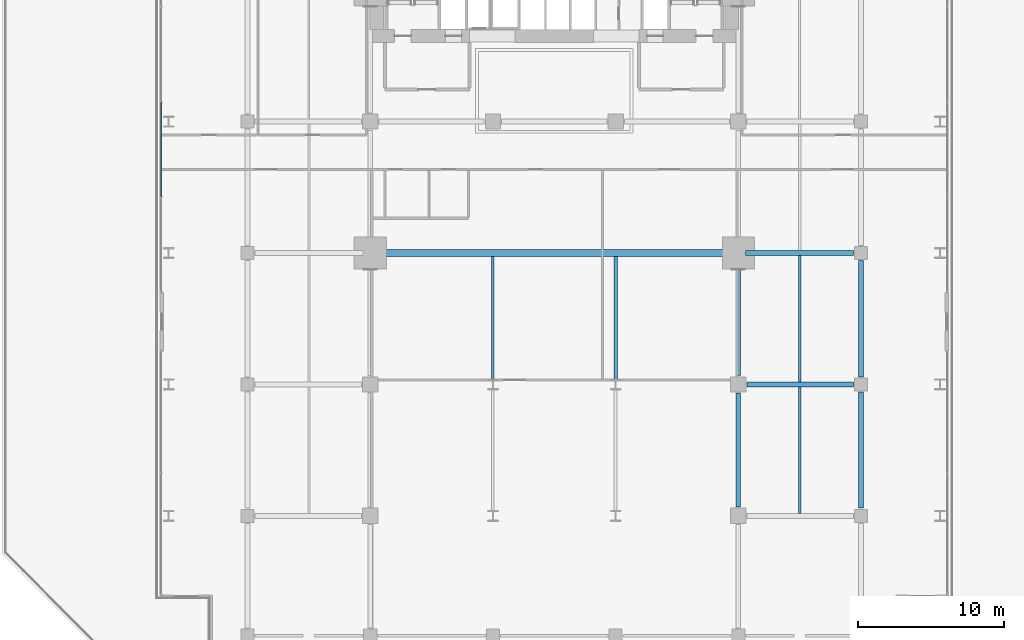
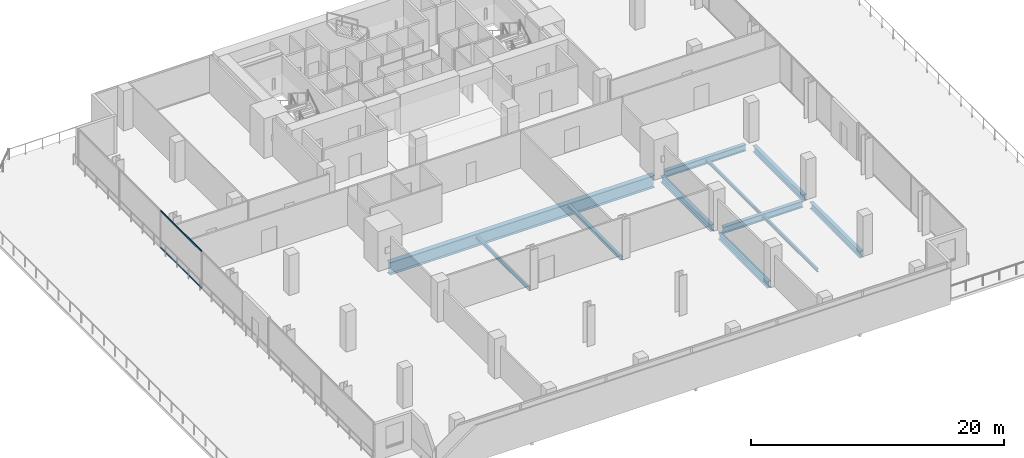
# One storey, part 11 of 31: 11 beams, 2 members, 1 element without a shape of its own.
"""IFC4 building model written with IfcOpenShell, lengths in metres."""

from ifc_helpers import new_model, si_unit, direction, frame, origin, origin_2d, place, context, subcontext, project, spatial, hollow_rectangle, i_section, extrude, material, layer, layer_set, material_profile, profile_set, type_object, element, aggregate, save


model = new_model("IFC4")

# Units and contexts
model_context = context("Model", 3, precision=1e-05, world=origin(), true_north=direction((0.0, 1.0)))
body_context = subcontext(model_context, "Body", "Model", "MODEL_VIEW")
ifc_project = project(units=[si_unit("LENGTHUNIT", "METRE"), si_unit("AREAUNIT", "SQUARE_METRE"), si_unit("VOLUMEUNIT", "CUBIC_METRE"), si_unit("PLANEANGLEUNIT", "RADIAN"), si_unit("MASSUNIT", "GRAM", prefix="KILO")], contexts=[model_context])

# Site, building, storey
site_placement = place(None, origin())
site = spatial("IfcSite", under=ifc_project, at=site_placement, CompositionType="ELEMENT")
building_placement = place(site_placement, origin())
building = spatial("IfcBuilding", under=site, at=building_placement, Name="Maruvema Waterfront Hotel and Observation Tower", CompositionType="ELEMENT")
storey_placement = place(building_placement, frame((0.0, 0.0, 26.949951171875)))
storey = spatial("IfcBuildingStorey", under=building, at=storey_placement, Name="L05", CompositionType="ELEMENT", Elevation=26.949951171875)

# Curtain wall, members
ifc_material_1 = material(Name="Anodised bronze aluminium and solar-control low-E IGU", Category="aluminium")
ifc_layer = layer(ifc_material_1, 0.159912109375, Name="Zone 1 Bronze Inner Thermal Curtain Wall System CW-02")
ifc_layer_set = layer_set([ifc_layer], Name="Anodised bronze aluminium and solar-control low-E IGU")
curtain_wall_type = type_object("IfcCurtainWallType", Name="Zone 1 Bronze Inner Thermal Curtain Wall System CW-02", PredefinedType="USERDEFINED", material=ifc_layer_set)
curtain_wall_placement = place(storey_placement, origin())
curtain_wall = element("IfcCurtainWall", 1, at=curtain_wall_placement, inside=storey, type_object=curtain_wall_type, Name="L05 Curtain Wall CW-L05-WN", ObjectType="UNITISED CURTAIN WALL", PredefinedType="USERDEFINED")
ifc_material_2 = material(Name="Anodised architectural bronze aluminium", Category="aluminium")
ifc_material_profile_1 = material_profile(ifc_material_2, hollow_rectangle(XDim=0.070068359375, YDim=0.14990234375, WallThickness=0.00390625, at=origin_2d()), Name="ALU-T70x150")
ifc_profile_set_1 = profile_set([ifc_material_profile_1], Name="Anodised architectural bronze aluminium")
member_type = type_object("IfcMemberType", Name="Curtain Wall Horizontal Transom ALU-T70x150", PredefinedType="USERDEFINED", material=ifc_profile_set_1)
member_1_placement = place(storey_placement, frame((10.8798828125, 37.320068359375, 0.030029296875), z_axis=(0.0, -1.0, 0.0), x_axis=(1.0, 0.0, 0.0)))
member_1 = element("IfcMember", 2, at=member_1_placement, type_object=member_type, Name="CW-02 transom 3.1", ObjectType="TRANSOM", PredefinedType="USERDEFINED", context=body_context, shape_type="SweptSolid", body=[
    extrude(hollow_rectangle(XDim=0.070068359375, YDim=0.14990234375, WallThickness=0.00390625, at=origin_2d()), origin(), (0.0, 0.0, 1.0), 6.465087890625),
])
member_2_placement = place(storey_placement, frame((10.8798828125, 37.320068359375, 3.580078125), z_axis=(0.0, -1.0, 0.0), x_axis=(1.0, 0.0, 0.0)))
member_2 = element("IfcMember", 3, at=member_2_placement, type_object=member_type, Name="CW-02 transom 3.2", ObjectType="TRANSOM", PredefinedType="USERDEFINED", context=body_context, shape_type="SweptSolid", body=[
    extrude(hollow_rectangle(XDim=0.070068359375, YDim=0.14990234375, WallThickness=0.00390625, at=origin_2d()), origin(), (0.0, 0.0, 1.0), 6.465087890625),
])
aggregate(curtain_wall, [member_1, member_2])

# Beams
ifc_material_3 = material(Name="Steel ASTM A572 Grade 50", Category="steel")
ifc_material_profile_2 = material_profile(ifc_material_3, i_section(OverallWidth=0.3291015625, OverallDepth=0.635009765625, WebThickness=0.017822265625, FlangeThickness=0.031005859375, FilletRadius=0.01806640625, at=origin_2d()), Name="W610x241.0")
ifc_profile_set_2 = profile_set([ifc_material_profile_2], Name="Steel ASTM A572 Grade 50")
beam_type_1 = type_object("IfcBeamType", Name="Primary Floor Girder W610x241.0", PredefinedType="BEAM", material=ifc_profile_set_2)
beam_1_placement = place(storey_placement, frame((51.0, 18.0, -0.557373046875), z_axis=(1.0, 0.0, 0.0), x_axis=(0.0, 1.0, 0.0)))
element("IfcBeam", 4, at=beam_1_placement, inside=storey, type_object=beam_type_1, Name="L05 Floor Girder EW-11", PredefinedType="BEAM", context=body_context, shape_type="SweptSolid", body=[
    extrude(i_section(OverallWidth=0.3291015625, OverallDepth=0.635009765625, WebThickness=0.017822265625, FlangeThickness=0.031005859375, FilletRadius=0.01806640625, at=origin_2d()), origin(), (0.0, 0.0, 1.0), 7.27490234375),
])
beam_2_placement = place(storey_placement, frame((50.89990234375, 27.0, -0.557373046875), z_axis=(1.0, 0.0, 0.0), x_axis=(0.0, 1.0, 0.0)))
element("IfcBeam", 5, at=beam_2_placement, inside=storey, type_object=beam_type_1, Name="L05 Floor Girder EW-14", PredefinedType="BEAM", context=body_context, shape_type="SweptSolid", body=[
    extrude(i_section(OverallWidth=0.3291015625, OverallDepth=0.635009765625, WebThickness=0.017822265625, FlangeThickness=0.031005859375, FilletRadius=0.01806640625, at=origin_2d()), origin(), (0.0, 0.0, 1.0), 7.375),
])
beam_3_placement = place(storey_placement, frame((50.39990234375, 9.60009765625, -0.557373046875), z_axis=(0.0, 1.0, 0.0), x_axis=(-1.0, 0.0, 0.0)))
element("IfcBeam", 6, at=beam_3_placement, inside=storey, type_object=beam_type_1, Name="L05 Floor Girder NS-13", PredefinedType="BEAM", context=body_context, shape_type="SweptSolid", body=[
    extrude(i_section(OverallWidth=0.3291015625, OverallDepth=0.635009765625, WebThickness=0.017822265625, FlangeThickness=0.031005859375, FilletRadius=0.01806640625, at=origin_2d()), origin(), (0.0, 0.0, 1.0), 7.7998046875),
])
beam_4_placement = place(storey_placement, frame((50.39990234375, 18.60009765625, -0.557373046875), z_axis=(0.0, 1.0, 0.0), x_axis=(-1.0, 0.0, 0.0)))
element("IfcBeam", 7, at=beam_4_placement, inside=storey, type_object=beam_type_1, Name="L05 Floor Girder NS-14", PredefinedType="BEAM", context=body_context, shape_type="SweptSolid", body=[
    extrude(i_section(OverallWidth=0.3291015625, OverallDepth=0.635009765625, WebThickness=0.017822265625, FlangeThickness=0.031005859375, FilletRadius=0.01806640625, at=origin_2d()), origin(), (0.0, 0.0, 1.0), 7.89990234375),
])
for number, where, z_axis, x_axis, name in (
    (8, (58.800048828125, 9.52490234375, -0.557373046875), (0.0, 1.0, 0.0), (-1.0, 0.0, 0.0), "L05 Floor Girder NS-18"),
    (9, (58.800048828125, 18.52490234375, -0.557373046875), (0.0, 1.0, 0.0), (-1.0, 0.0, 0.0), "L05 Floor Girder NS-19"),
):
    element("IfcBeam", number, at=place(storey_placement, frame(where, z_axis=z_axis, x_axis=x_axis)), inside=storey, type_object=beam_type_1, Name=name, PredefinedType="BEAM", context=body_context, shape_type="SweptSolid", body=[
        extrude(i_section(OverallWidth=0.3291015625, OverallDepth=0.635009765625, WebThickness=0.017822265625, FlangeThickness=0.031005859375, FilletRadius=0.01806640625, at=origin_2d()), origin(), (0.0, 0.0, 1.0), 7.9501953125),
    ])
ifc_material_4 = material(Name="Steel ASTM A572 Grade 50", Category="steel")
ifc_material_profile_3 = material_profile(ifc_material_4, i_section(OverallWidth=0.1650390625, OverallDepth=0.31005859375, WebThickness=0.005859375, FlangeThickness=0.009765625, FilletRadius=0.012939453125, at=origin_2d()), Name="W310x38.7")
ifc_profile_set_3 = profile_set([ifc_material_profile_3], Name="Steel ASTM A572 Grade 50")
beam_type_2 = type_object("IfcBeamType", Name="Secondary Floor Joist W310x38.7", PredefinedType="JOIST", material=ifc_profile_set_3)
beam_5_placement = place(storey_placement, frame((54.60009765625, 18.16455078125, -0.39501953125), z_axis=(0.0, 1.0, 0.0), x_axis=(-1.0, 0.0, 0.0)))
element("IfcBeam", 10, at=beam_5_placement, inside=storey, type_object=beam_type_2, Name="L05 Secondary Floor Joist JS-10", PredefinedType="JOIST", context=body_context, shape_type="SweptSolid", body=[
    extrude(i_section(OverallWidth=0.1650390625, OverallDepth=0.31005859375, WebThickness=0.005859375, FlangeThickness=0.009765625, FilletRadius=0.012939453125, at=origin_2d()), origin(), (0.0, 0.0, 1.0), 8.6708984375),
])
ifc_material_5 = material(Name="Steel ASTM A572 Grade 50", Category="steel")
ifc_material_profile_4 = material_profile(ifc_material_5, i_section(OverallWidth=0.1669921875, OverallDepth=0.31689453125, WebThickness=0.007568359375, FlangeThickness=0.01318359375, FilletRadius=0.012939453125, at=origin_2d()), Name="W310x52.0")
ifc_profile_set_4 = profile_set([ifc_material_profile_4], Name="Steel ASTM A572 Grade 50")
beam_type_3 = type_object("IfcBeamType", Name="Secondary Floor Joist W310x52.0", PredefinedType="JOIST", material=ifc_profile_set_4)
beam_6_placement = place(storey_placement, frame((54.60009765625, 9.16455078125, -0.3984375), z_axis=(0.0, 1.0, 0.0), x_axis=(-1.0, 0.0, 0.0)))
element("IfcBeam", 11, at=beam_6_placement, inside=storey, type_object=beam_type_3, Name="L05 Secondary Floor Joist JS-09", PredefinedType="JOIST", context=body_context, shape_type="SweptSolid", body=[
    extrude(i_section(OverallWidth=0.1669921875, OverallDepth=0.31689453125, WebThickness=0.007568359375, FlangeThickness=0.01318359375, FilletRadius=0.012939453125, at=origin_2d()), origin(), (0.0, 0.0, 1.0), 8.6708984375),
])
ifc_material_6 = material(Name="Steel ASTM A572 Grade 50", Category="steel")
ifc_material_profile_5 = material_profile(ifc_material_6, i_section(OverallWidth=0.25390625, OverallDepth=0.305908203125, WebThickness=0.0087890625, FlangeThickness=0.0146484375, FilletRadius=0.014892578125, at=origin_2d()), Name="W310x79.0")
ifc_profile_set_5 = profile_set([ifc_material_profile_5], Name="Steel ASTM A572 Grade 50")
beam_type_4 = type_object("IfcBeamType", Name="Secondary Floor Joist W310x79.0", PredefinedType="JOIST", material=ifc_profile_set_5)
beam_7_placement = place(storey_placement, frame((42.0, 18.35009765625, -0.39306640625), z_axis=(0.0, 1.0, 0.0), x_axis=(-1.0, 0.0, 0.0)))
element("IfcBeam", 12, at=beam_7_placement, inside=storey, type_object=beam_type_4, Name="L05 Secondary Floor Joist JS-08", PredefinedType="JOIST", context=body_context, shape_type="SweptSolid", body=[
    extrude(i_section(OverallWidth=0.25390625, OverallDepth=0.305908203125, WebThickness=0.0087890625, FlangeThickness=0.0146484375, FilletRadius=0.014892578125, at=origin_2d()), origin(), (0.0, 0.0, 1.0), 8.4248046875),
])
ifc_material_7 = material(Name="Steel ASTM A572 Grade 50", Category="steel")
ifc_material_profile_6 = material_profile(ifc_material_7, i_section(OverallWidth=0.1708984375, OverallDepth=0.35498046875, WebThickness=0.007080078125, FlangeThickness=0.01171875, FilletRadius=0.014892578125, at=origin_2d()), Name="W360x51.0")
ifc_profile_set_6 = profile_set([ifc_material_profile_6], Name="Steel ASTM A572 Grade 50")
beam_type_5 = type_object("IfcBeamType", Name="Secondary Floor Joist W360x51.0", PredefinedType="JOIST", material=ifc_profile_set_6)
beam_8_placement = place(storey_placement, frame((33.60009765625, 18.35009765625, -0.41748046875), z_axis=(0.0, 1.0, 0.0), x_axis=(-1.0, 0.0, 0.0)))
element("IfcBeam", 13, at=beam_8_placement, inside=storey, type_object=beam_type_5, Name="L05 Secondary Floor Joist JS-07", PredefinedType="JOIST", context=body_context, shape_type="SweptSolid", body=[
    extrude(i_section(OverallWidth=0.1708984375, OverallDepth=0.35498046875, WebThickness=0.007080078125, FlangeThickness=0.01171875, FilletRadius=0.014892578125, at=origin_2d()), origin(), (0.0, 0.0, 1.0), 8.4248046875),
])
ifc_material_8 = material(Name="Steel ABNT NBR 7007 AR 415 (ASTM A572 Grade 50)", Category="steel")
ifc_material_profile_7 = material_profile(ifc_material_8, i_section(OverallWidth=0.449951171875, OverallDepth=1.199951171875, WebThickness=0.01904296875, FlangeThickness=0.031982421875, at=origin_2d()), Name="VS1200x366")
ifc_profile_set_7 = profile_set([ifc_material_profile_7], Name="Steel ABNT NBR 7007 AR 415 (ASTM A572 Grade 50)")
beam_type_6 = type_object("IfcBeamType", Name="Upper Setback Transfer Girder VS1200x366", PredefinedType="USERDEFINED", material=ifc_profile_set_7)
beam_9_placement = place(storey_placement, frame((25.699951171875, 27.0, -0.83984375), z_axis=(1.0, 0.0, 0.0), x_axis=(0.0, 1.0, 0.0)))
element("IfcBeam", 14, at=beam_9_placement, inside=storey, type_object=beam_type_6, Name="L05 Floor Girder EW-13", ObjectType="TRANSFER GIRDER", PredefinedType="USERDEFINED", context=body_context, shape_type="SweptSolid", body=[
    extrude(i_section(OverallWidth=0.449951171875, OverallDepth=1.199951171875, WebThickness=0.01904296875, FlangeThickness=0.031982421875, at=origin_2d()), origin(), (0.0, 0.0, 1.0), 24.199951171875),
])

save(model, "model.ifc")
